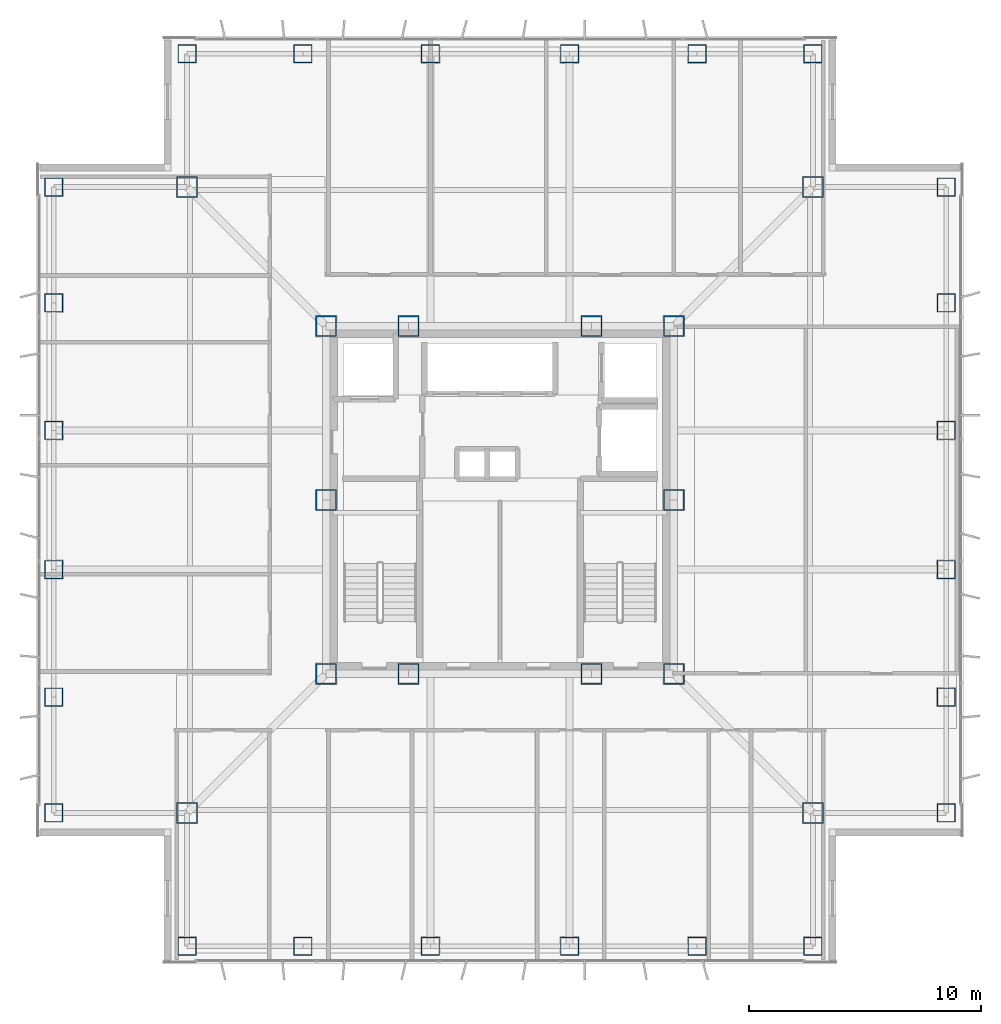
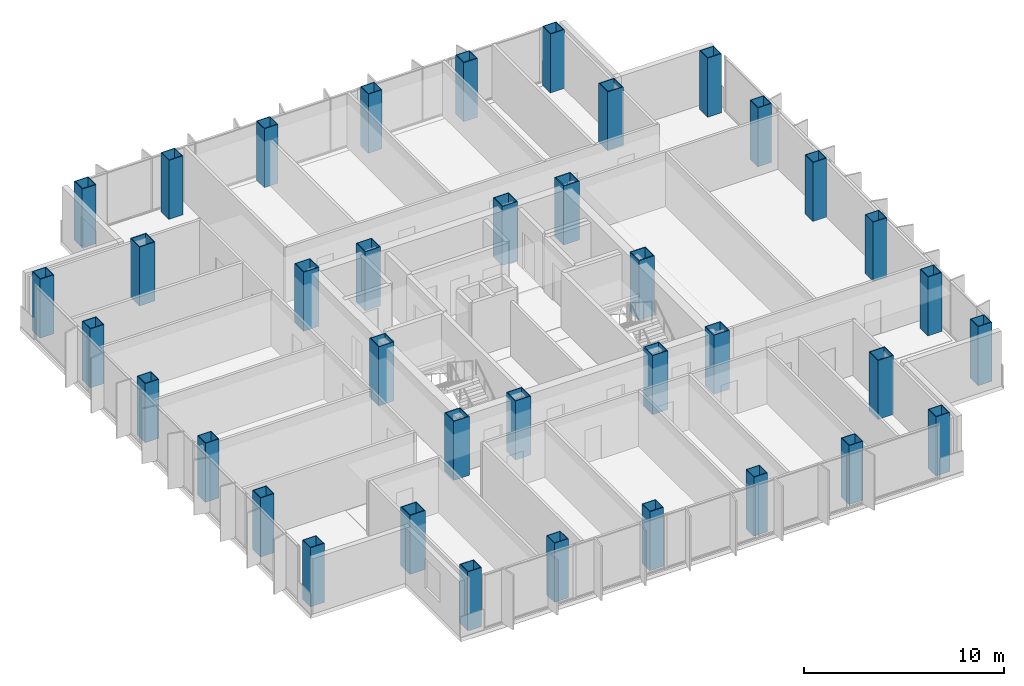
# One storey, part 1 of 18: 38 columns.
"""IFC4 building model written with IfcOpenShell, lengths in metres."""

from ifc_helpers import new_model, si_unit, direction, frame, origin, origin_2d, place, context, subcontext, project, spatial, hollow_rectangle, extrude, material, material_profile, profile_set, type_object, element, save


model = new_model("IFC4")

# Units and contexts
model_context = context("Model", 3, precision=1e-05, world=origin(), true_north=direction((0.0, 1.0)))
body_context = subcontext(model_context, "Body", "Model", "MODEL_VIEW")
ifc_project = project(units=[si_unit("LENGTHUNIT", "METRE"), si_unit("AREAUNIT", "SQUARE_METRE"), si_unit("VOLUMEUNIT", "CUBIC_METRE"), si_unit("PLANEANGLEUNIT", "RADIAN"), si_unit("MASSUNIT", "GRAM", prefix="KILO")], contexts=[model_context])

# Site, building, storey
site_placement = place(None, origin())
site = spatial("IfcSite", under=ifc_project, at=site_placement, CompositionType="ELEMENT")
building_placement = place(site_placement, origin())
building = spatial("IfcBuilding", under=site, at=building_placement, Name="Trevonay Congress Spire", CompositionType="ELEMENT")
storey_placement = place(building_placement, frame((0.0, 0.0, 173.39990234375)))
storey = spatial("IfcBuildingStorey", under=building, at=storey_placement, Name="L44", CompositionType="ELEMENT", Elevation=173.39990234375)

# Columns
ifc_material = material(Name="Steel ASTM A572 Grade 50", Category="steel")
ifc_material_profile_1 = material_profile(ifc_material, hollow_rectangle(XDim=0.89990234375, YDim=0.89990234375, WallThickness=0.044921875, at=origin_2d()), Name="BOX 900x900x45")
ifc_profile_set_1 = profile_set([ifc_material_profile_1], Name="Steel ASTM A572 Grade 50")
column_type_1 = type_object("IfcColumnType", Name="COL-CORE-BOX900", PredefinedType="COLUMN", material=ifc_profile_set_1)
for number, where, z_axis, x_axis, name in (
    (1, (-7.5, -7.5, 0.0), (0.0, 0.0, 1.0), (1.0, 0.0, 0.0), "L44 column C04 at CC-SW"),
    (2, (-3.949951171875, -7.5, 0.0), (0.0, 0.0, 1.0), (1.0, 0.0, 0.0), "L44 column C04 at CC-SMW"),
    (3, (3.949951171875, -7.5, 0.0), (0.0, 0.0, 1.0), (1.0, 0.0, 0.0), "L44 column C04 at CC-SME"),
    (4, (7.5, -7.5, 0.0), (0.0, 0.0, 1.0), (1.0, 0.0, 0.0), "L44 column C04 at CC-SE"),
    (5, (7.5, 0.0, 0.0), (0.0, 0.0, 1.0), (1.0, 0.0, 0.0), "L44 column C04 at CC-E"),
    (6, (7.5, 7.5, 0.0), (0.0, 0.0, 1.0), (1.0, 0.0, 0.0), "L44 column C04 at CC-NE"),
    (7, (3.949951171875, 7.5, 0.0), (0.0, 0.0, 1.0), (1.0, 0.0, 0.0), "L44 column C04 at CC-NME"),
    (8, (-3.949951171875, 7.5, 0.0), (0.0, 0.0, 1.0), (1.0, 0.0, 0.0), "L44 column C04 at CC-NMW"),
    (9, (-7.5, 7.5, 0.0), (0.0, 0.0, 1.0), (1.0, 0.0, 0.0), "L44 column C04 at CC-NW"),
    (10, (-7.5, 0.0, 0.0), (0.0, 0.0, 1.0), (1.0, 0.0, 0.0), "L44 column C04 at CC-W"),
):
    element("IfcColumn", number, at=place(storey_placement, frame(where, z_axis=z_axis, x_axis=x_axis)), inside=storey, type_object=column_type_1, Name=name, PredefinedType="COLUMN", context=body_context, shape_type="SweptSolid", body=[
        extrude(hollow_rectangle(XDim=0.89990234375, YDim=0.89990234375, WallThickness=0.044921875, at=origin_2d()), origin(), (0.0, 0.0, 1.0), 3.60009765625),
    ])
ifc_material_profile_2 = material_profile(ifc_material, hollow_rectangle(XDim=0.800048828125, YDim=0.800048828125, WallThickness=0.0400390625, at=origin_2d()), Name="BOX 800x800x40")
ifc_profile_set_2 = profile_set([ifc_material_profile_2], Name="Steel ASTM A572 Grade 50")
column_type_2 = type_object("IfcColumnType", Name="COL-TUBE-BOX800", PredefinedType="COLUMN", material=ifc_profile_set_2)
for number, where, z_axis, x_axis, name in (
    (11, (-13.5, -19.25, 0.0), (0.0, 0.0, 1.0), (1.0, 0.0, 0.0), "L44 column C16 at TS-1"),
    (12, (-13.5, 19.25, 0.0), (0.0, 0.0, 1.0), (1.0, 0.0, 0.0), "L44 column C16 at TN-1"),
    (13, (-19.25, -13.5, 0.0), (0.0, 0.0, 1.0), (1.0, 0.0, 0.0), "L44 column C16 at TW-1"),
    (14, (19.25, -13.5, 0.0), (0.0, 0.0, 1.0), (1.0, 0.0, 0.0), "L44 column C16 at TE-1"),
    (15, (-8.5, -19.25, 0.0), (0.0, 0.0, 1.0), (1.0, 0.0, 0.0), "L44 column C16 at TS-2"),
    (16, (-8.5, 19.25, 0.0), (0.0, 0.0, 1.0), (1.0, 0.0, 0.0), "L44 column C16 at TN-2"),
    (17, (-19.25, -8.5, 0.0), (0.0, 0.0, 1.0), (1.0, 0.0, 0.0), "L44 column C16 at TW-2"),
    (18, (19.25, -8.5, 0.0), (0.0, 0.0, 1.0), (1.0, 0.0, 0.0), "L44 column C16 at TE-2"),
    (19, (-3.0, -19.25, 0.0), (0.0, 0.0, 1.0), (1.0, 0.0, 0.0), "L44 column C16 at TS-3"),
    (20, (-3.0, 19.25, 0.0), (0.0, 0.0, 1.0), (1.0, 0.0, 0.0), "L44 column C16 at TN-3"),
    (21, (-19.25, -3.0, 0.0), (0.0, 0.0, 1.0), (1.0, 0.0, 0.0), "L44 column C16 at TW-3"),
    (22, (19.25, -3.0, 0.0), (0.0, 0.0, 1.0), (1.0, 0.0, 0.0), "L44 column C16 at TE-3"),
    (23, (3.0, -19.25, 0.0), (0.0, 0.0, 1.0), (1.0, 0.0, 0.0), "L44 column C16 at TS-4"),
    (24, (3.0, 19.25, 0.0), (0.0, 0.0, 1.0), (1.0, 0.0, 0.0), "L44 column C16 at TN-4"),
    (25, (-19.25, 3.0, 0.0), (0.0, 0.0, 1.0), (1.0, 0.0, 0.0), "L44 column C16 at TW-4"),
    (26, (19.25, 3.0, 0.0), (0.0, 0.0, 1.0), (1.0, 0.0, 0.0), "L44 column C16 at TE-4"),
    (27, (8.5, -19.25, 0.0), (0.0, 0.0, 1.0), (1.0, 0.0, 0.0), "L44 column C16 at TS-5"),
    (28, (8.5, 19.25, 0.0), (0.0, 0.0, 1.0), (1.0, 0.0, 0.0), "L44 column C16 at TN-5"),
    (29, (-19.25, 8.5, 0.0), (0.0, 0.0, 1.0), (1.0, 0.0, 0.0), "L44 column C16 at TW-5"),
    (30, (19.25, 8.5, 0.0), (0.0, 0.0, 1.0), (1.0, 0.0, 0.0), "L44 column C16 at TE-5"),
    (31, (13.5, -19.25, 0.0), (0.0, 0.0, 1.0), (1.0, 0.0, 0.0), "L44 column C16 at TS-6"),
    (32, (13.5, 19.25, 0.0), (0.0, 0.0, 1.0), (1.0, 0.0, 0.0), "L44 column C16 at TN-6"),
    (33, (-19.25, 13.5, 0.0), (0.0, 0.0, 1.0), (1.0, 0.0, 0.0), "L44 column C16 at TW-6"),
    (34, (19.25, 13.5, 0.0), (0.0, 0.0, 1.0), (1.0, 0.0, 0.0), "L44 column C16 at TE-6"),
):
    element("IfcColumn", number, at=place(storey_placement, frame(where, z_axis=z_axis, x_axis=x_axis)), inside=storey, type_object=column_type_2, Name=name, PredefinedType="COLUMN", context=body_context, shape_type="SweptSolid", body=[
        extrude(hollow_rectangle(XDim=0.800048828125, YDim=0.800048828125, WallThickness=0.0400390625, at=origin_2d()), origin(), (0.0, 0.0, 1.0), 3.60009765625),
    ])
ifc_material_profile_3 = material_profile(ifc_material, hollow_rectangle(XDim=0.89990234375, YDim=0.89990234375, WallThickness=0.044921875, at=origin_2d()), Name="BOX 900x900x45")
ifc_profile_set_3 = profile_set([ifc_material_profile_3], Name="Steel ASTM A572 Grade 50")
column_type_3 = type_object("IfcColumnType", Name="COL-TUBE-BOX900", PredefinedType="COLUMN", material=ifc_profile_set_3)
for number, where, z_axis, x_axis, name in (
    (35, (-13.5, -13.5, 0.0), (0.0, 0.0, 1.0), (1.0, 0.0, 0.0), "L44 column C15 at NC-SW"),
    (36, (13.5, -13.5, 0.0), (0.0, 0.0, 1.0), (1.0, 0.0, 0.0), "L44 column C15 at NC-SE"),
    (37, (13.5, 13.5, 0.0), (0.0, 0.0, 1.0), (1.0, 0.0, 0.0), "L44 column C15 at NC-NE"),
    (38, (-13.5, 13.5, 0.0), (0.0, 0.0, 1.0), (1.0, 0.0, 0.0), "L44 column C15 at NC-NW"),
):
    element("IfcColumn", number, at=place(storey_placement, frame(where, z_axis=z_axis, x_axis=x_axis)), inside=storey, type_object=column_type_3, Name=name, PredefinedType="COLUMN", context=body_context, shape_type="SweptSolid", body=[
        extrude(hollow_rectangle(XDim=0.89990234375, YDim=0.89990234375, WallThickness=0.044921875, at=origin_2d()), origin(), (0.0, 0.0, 1.0), 3.60009765625),
    ])

save(model, "model.ifc")
